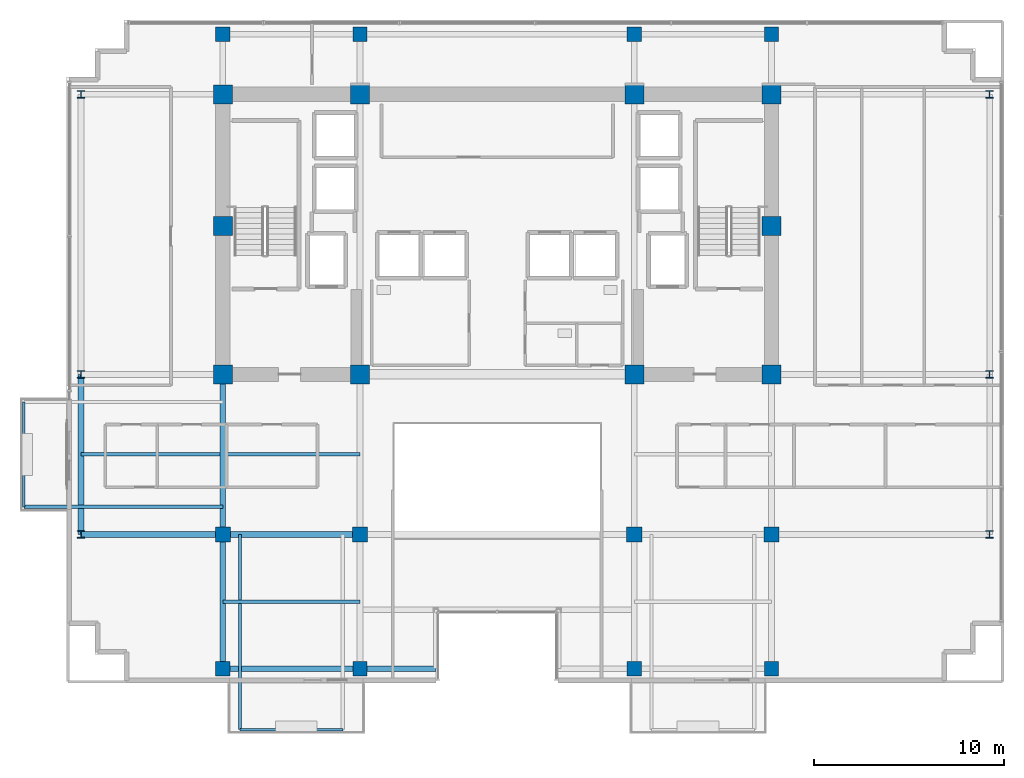
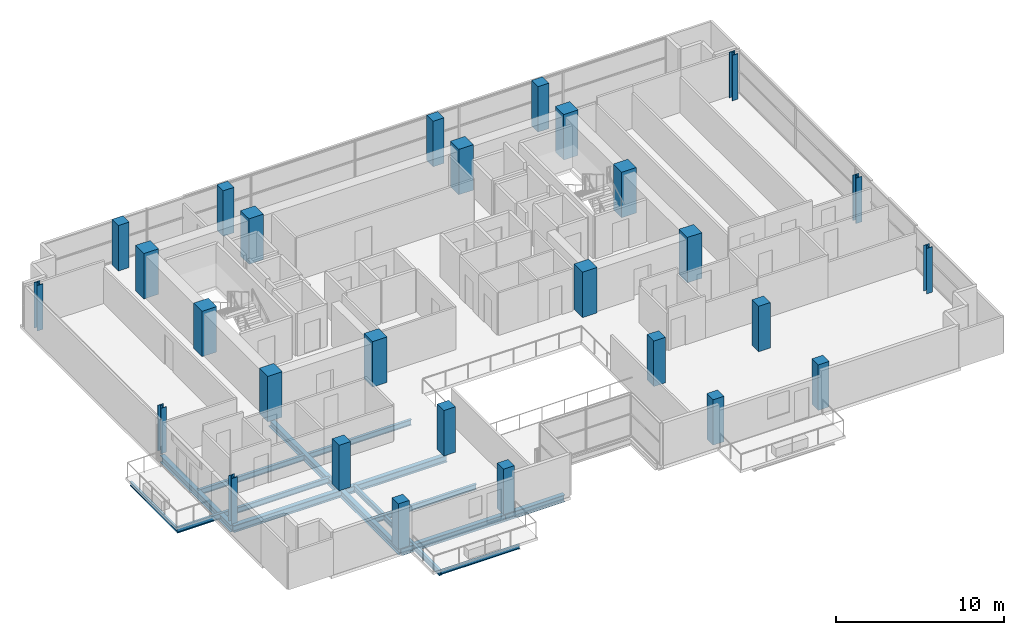
# One storey, part 1 of 21: 28 columns, 14 beams.
"""IFC4 building model written with IfcOpenShell, lengths in metres."""

from ifc_helpers import new_model, si_unit, direction, frame, origin, origin_2d, place, context, subcontext, project, spatial, rectangle, i_section, extrude, material, material_profile, profile_set, type_object, element, save


model = new_model("IFC4")

# Units and contexts
model_context = context("Model", 3, precision=1e-05, world=origin(), true_north=direction((0.0, 1.0)))
body_context = subcontext(model_context, "Body", "Model", "MODEL_VIEW")
ifc_project = project(units=[si_unit("LENGTHUNIT", "METRE"), si_unit("AREAUNIT", "SQUARE_METRE"), si_unit("VOLUMEUNIT", "CUBIC_METRE"), si_unit("PLANEANGLEUNIT", "RADIAN"), si_unit("MASSUNIT", "GRAM", prefix="KILO")], contexts=[model_context])

# Site, building, storey
site_placement = place(None, origin())
site = spatial("IfcSite", under=ifc_project, at=site_placement, CompositionType="ELEMENT")
building_placement = place(site_placement, origin())
building = spatial("IfcBuilding", under=site, at=building_placement, Name="Zarnakvel Exchange Tower", CompositionType="ELEMENT")
storey_placement = place(building_placement, frame((0.0, 0.0, 185.800048828125)))
storey = spatial("IfcBuildingStorey", under=building, at=storey_placement, Name="L52", CompositionType="ELEMENT", Elevation=185.800048828125)

# Columns
ifc_material_1 = material(Name="Concrete C60/75", Category="concrete")
ifc_material_profile_1 = material_profile(ifc_material_1, rectangle(XDim=1.0, YDim=1.0, at=origin_2d()))
ifc_profile_set_1 = profile_set([ifc_material_profile_1], Name="Concrete C60/75")
column_type_1 = type_object("IfcColumnType", Name="CC-02", PredefinedType="COLUMN", material=ifc_profile_set_1)
for number, where, z_axis, x_axis, name in (
    (1, (-14.39990234375, -1.199951171875, 0.0), (0.0, 0.0, 1.0), (1.0, 0.0, 0.0), "L52 Column C-4D (CC-02)"),
    (2, (-7.199951171875, -1.199951171875, 0.0), (0.0, 0.0, 1.0), (1.0, 0.0, 0.0), "L52 Column C-5D (CC-02)"),
    (3, (7.199951171875, -1.199951171875, 0.0), (0.0, 0.0, 1.0), (1.0, 0.0, 0.0), "L52 Column C-8D (CC-02)"),
    (4, (14.39990234375, -1.199951171875, 0.0), (0.0, 0.0, 1.0), (1.0, 0.0, 0.0), "L52 Column C-9D (CC-02)"),
    (5, (-14.39990234375, 6.60009765625, 0.0), (0.0, 0.0, 1.0), (1.0, 0.0, 0.0), "L52 Column C-4E (CC-02)"),
    (6, (14.39990234375, 6.60009765625, 0.0), (0.0, 0.0, 1.0), (1.0, 0.0, 0.0), "L52 Column C-9E (CC-02)"),
    (7, (-14.39990234375, 13.5, 0.0), (0.0, 0.0, 1.0), (1.0, 0.0, 0.0), "L52 Column C-4F (CC-02)"),
    (8, (-7.199951171875, 13.5, 0.0), (0.0, 0.0, 1.0), (1.0, 0.0, 0.0), "L52 Column C-5F (CC-02)"),
    (9, (7.199951171875, 13.5, 0.0), (0.0, 0.0, 1.0), (1.0, 0.0, 0.0), "L52 Column C-8F (CC-02)"),
    (10, (14.39990234375, 13.5, 0.0), (0.0, 0.0, 1.0), (1.0, 0.0, 0.0), "L52 Column C-9F (CC-02)"),
):
    element("IfcColumn", number, at=place(storey_placement, frame(where, z_axis=z_axis, x_axis=x_axis)), inside=storey, type_object=column_type_1, Name=name, PredefinedType="COLUMN", context=body_context, shape_type="SweptSolid", body=[
        extrude(rectangle(XDim=1.0, YDim=1.0, at=origin_2d()), origin(), (0.0, 0.0, 1.0), 3.300048828125),
    ])
ifc_material_2 = material(Name="Steel S355", Category="steel")
ifc_material_profile_2 = material_profile(ifc_material_2, i_section(OverallWidth=0.39892578125, OverallDepth=0.3935546875, WebThickness=0.022705078125, FlangeThickness=0.03662109375, FilletRadius=0.01513671875, at=origin_2d()))
ifc_profile_set_2 = profile_set([ifc_material_profile_2], Name="Steel S355")
column_type_2 = type_object("IfcColumnType", Name="SC-04", PredefinedType="COLUMN", material=ifc_profile_set_2)
for number, where, z_axis, x_axis, name in (
    (11, (-21.85009765625, -9.60009765625, 0.0), (0.0, 0.0, 1.0), (1.0, 0.0, 0.0), "L52 Column TW-C (SC-04)"),
    (12, (25.85009765625, -9.60009765625, 0.0), (0.0, 0.0, 1.0), (1.0, 0.0, 0.0), "L52 Column TE-C (SC-04)"),
    (13, (-21.85009765625, -1.199951171875, 0.0), (0.0, 0.0, 1.0), (1.0, 0.0, 0.0), "L52 Column TW-D (SC-04)"),
    (14, (25.85009765625, -1.199951171875, 0.0), (0.0, 0.0, 1.0), (1.0, 0.0, 0.0), "L52 Column TE-D (SC-04)"),
    (15, (-21.85009765625, 13.5, 0.0), (0.0, 0.0, 1.0), (1.0, 0.0, 0.0), "L52 Column TW-F (SC-04)"),
    (16, (25.85009765625, 13.5, 0.0), (0.0, 0.0, 1.0), (1.0, 0.0, 0.0), "L52 Column TE-F (SC-04)"),
):
    element("IfcColumn", number, at=place(storey_placement, frame(where, z_axis=z_axis, x_axis=x_axis)), inside=storey, type_object=column_type_2, Name=name, PredefinedType="COLUMN", context=body_context, shape_type="SweptSolid", body=[
        extrude(i_section(OverallWidth=0.39892578125, OverallDepth=0.3935546875, WebThickness=0.022705078125, FlangeThickness=0.03662109375, FilletRadius=0.01513671875, at=origin_2d()), origin(), (0.0, 0.0, 1.0), 3.300048828125),
    ])
ifc_material_profile_3 = material_profile(ifc_material_1, rectangle(XDim=0.800048828125, YDim=0.800048828125, at=origin_2d()))
ifc_profile_set_3 = profile_set([ifc_material_profile_3], Name="Concrete C60/75")
column_type_3 = type_object("IfcColumnType", Name="TC-03", PredefinedType="COLUMN", material=ifc_profile_set_3)
for number, where, z_axis, x_axis, name in (
    (17, (-14.39990234375, -9.60009765625, 0.0), (0.0, 0.0, 1.0), (1.0, 0.0, 0.0), "L52 Column T-4C (TC-03)"),
    (18, (-7.199951171875, -9.60009765625, 0.0), (0.0, 0.0, 1.0), (1.0, 0.0, 0.0), "L52 Column T-5C (TC-03)"),
    (19, (7.199951171875, -9.60009765625, 0.0), (0.0, 0.0, 1.0), (1.0, 0.0, 0.0), "L52 Column T-8C (TC-03)"),
    (20, (14.39990234375, -9.60009765625, 0.0), (0.0, 0.0, 1.0), (1.0, 0.0, 0.0), "L52 Column T-9C (TC-03)"),
):
    element("IfcColumn", number, at=place(storey_placement, frame(where, z_axis=z_axis, x_axis=x_axis)), inside=storey, type_object=column_type_3, Name=name, PredefinedType="COLUMN", context=body_context, shape_type="SweptSolid", body=[
        extrude(rectangle(XDim=0.800048828125, YDim=0.800048828125, at=origin_2d()), origin(), (0.0, 0.0, 1.0), 3.300048828125),
    ])
ifc_material_3 = material(Name="Concrete C50/60", Category="concrete")
ifc_material_profile_4 = material_profile(ifc_material_3, rectangle(XDim=0.75, YDim=0.75, at=origin_2d()))
ifc_profile_set_4 = profile_set([ifc_material_profile_4], Name="Concrete C50/60")
column_type_4 = type_object("IfcColumnType", Name="TC-04", PredefinedType="COLUMN", material=ifc_profile_set_4)
for number, where, z_axis, x_axis, name in (
    (21, (-14.39990234375, -16.64990234375, 0.0), (0.0, 0.0, 1.0), (1.0, 0.0, 0.0), "L52 Column TS-4 (TC-04)"),
    (22, (-14.39990234375, 16.64990234375, 0.0), (0.0, 0.0, 1.0), (1.0, 0.0, 0.0), "L52 Column TN-4 (TC-04)"),
    (23, (-7.199951171875, -16.64990234375, 0.0), (0.0, 0.0, 1.0), (1.0, 0.0, 0.0), "L52 Column TS-5 (TC-04)"),
    (24, (-7.199951171875, 16.64990234375, 0.0), (0.0, 0.0, 1.0), (1.0, 0.0, 0.0), "L52 Column TN-5 (TC-04)"),
    (25, (7.199951171875, -16.64990234375, 0.0), (0.0, 0.0, 1.0), (1.0, 0.0, 0.0), "L52 Column TS-8 (TC-04)"),
    (26, (7.199951171875, 16.64990234375, 0.0), (0.0, 0.0, 1.0), (1.0, 0.0, 0.0), "L52 Column TN-8 (TC-04)"),
    (27, (14.39990234375, -16.64990234375, 0.0), (0.0, 0.0, 1.0), (1.0, 0.0, 0.0), "L52 Column TS-9 (TC-04)"),
    (28, (14.39990234375, 16.64990234375, 0.0), (0.0, 0.0, 1.0), (1.0, 0.0, 0.0), "L52 Column TN-9 (TC-04)"),
):
    element("IfcColumn", number, at=place(storey_placement, frame(where, z_axis=z_axis, x_axis=x_axis)), inside=storey, type_object=column_type_4, Name=name, PredefinedType="COLUMN", context=body_context, shape_type="SweptSolid", body=[
        extrude(rectangle(XDim=0.75, YDim=0.75, at=origin_2d()), origin(), (0.0, 0.0, 1.0), 3.300048828125),
    ])

# Beams
ifc_material_profile_5 = material_profile(ifc_material_2, i_section(OverallWidth=0.179931640625, OverallDepth=0.39990234375, WebThickness=0.008544921875, FlangeThickness=0.013427734375, FilletRadius=0.02099609375, at=origin_2d()))
ifc_profile_set_5 = profile_set([ifc_material_profile_5], Name="Steel S355")
beam_type_1 = type_object("IfcBeamType", Name="B-06", PredefinedType="JOIST", material=ifc_profile_set_5)
beam_1_placement = place(storey_placement, frame((-14.39990234375, -13.125, -0.425048828125), z_axis=(1.0, 0.0, 0.0), x_axis=(0.0, 1.0, 0.0)))
element("IfcBeam", 29, at=beam_1_placement, inside=storey, type_object=beam_type_1, Name="L52 Composite Floor Secondary Joist", PredefinedType="JOIST", context=body_context, shape_type="SweptSolid", body=[
    extrude(i_section(OverallWidth=0.179931640625, OverallDepth=0.39990234375, WebThickness=0.008544921875, FlangeThickness=0.013427734375, FilletRadius=0.02099609375, at=origin_2d()), origin(), (0.0, 0.0, 1.0), 7.199951171875),
])
beam_2_placement = place(storey_placement, frame((-21.85009765625, -5.39990234375, -0.425048828125), z_axis=(1.0, 0.0, 0.0), x_axis=(0.0, 1.0, 0.0)))
element("IfcBeam", 30, at=beam_2_placement, inside=storey, type_object=beam_type_1, Name="L52 Composite Floor Secondary Joist", PredefinedType="JOIST", context=body_context, shape_type="SweptSolid", body=[
    extrude(i_section(OverallWidth=0.179931640625, OverallDepth=0.39990234375, WebThickness=0.008544921875, FlangeThickness=0.013427734375, FilletRadius=0.02099609375, at=origin_2d()), origin(), (0.0, 0.0, 1.0), 7.300048828125),
])
beam_3_placement = place(storey_placement, frame((-14.25, -5.39990234375, -0.425048828125), z_axis=(1.0, 0.0, 0.0), x_axis=(0.0, 1.0, 0.0)))
element("IfcBeam", 31, at=beam_3_placement, inside=storey, type_object=beam_type_1, Name="L52 Composite Floor Secondary Joist", PredefinedType="JOIST", context=body_context, shape_type="SweptSolid", body=[
    extrude(i_section(OverallWidth=0.179931640625, OverallDepth=0.39990234375, WebThickness=0.008544921875, FlangeThickness=0.013427734375, FilletRadius=0.02099609375, at=origin_2d()), origin(), (0.0, 0.0, 1.0), 7.050048828125),
])
beam_4_placement = place(storey_placement, frame((-13.5, -9.60009765625, -0.425048828125), z_axis=(0.0, -1.0, 0.0), x_axis=(1.0, 0.0, 0.0)))
element("IfcBeam", 32, at=beam_4_placement, inside=storey, type_object=beam_type_1, Name="L52 Continuous Back-Spanned Balcony Beam W", PredefinedType="JOIST", context=body_context, shape_type="SweptSolid", body=[
    extrude(i_section(OverallWidth=0.179931640625, OverallDepth=0.39990234375, WebThickness=0.008544921875, FlangeThickness=0.013427734375, FilletRadius=0.02099609375, at=origin_2d()), origin(), (0.0, 0.0, 1.0), 10.25),
])
beam_5_placement = place(storey_placement, frame((-14.39990234375, -8.14990234375, -0.425048828125), z_axis=(-1.0, 0.0, 0.0), x_axis=(0.0, -1.0, 0.0)))
element("IfcBeam", 33, at=beam_5_placement, inside=storey, type_object=beam_type_1, Name="L52 Continuous West Loggia Beam S", PredefinedType="JOIST", context=body_context, shape_type="SweptSolid", body=[
    extrude(i_section(OverallWidth=0.179931640625, OverallDepth=0.39990234375, WebThickness=0.008544921875, FlangeThickness=0.013427734375, FilletRadius=0.02099609375, at=origin_2d()), origin(), (0.0, 0.0, 1.0), 10.4501953125),
])
ifc_material_profile_6 = material_profile(ifc_material_2, i_section(OverallWidth=0.14990234375, OverallDepth=0.300048828125, WebThickness=0.007080078125, FlangeThickness=0.0107421875, FilletRadius=0.014892578125, at=origin_2d()))
ifc_profile_set_6 = profile_set([ifc_material_profile_6], Name="Steel S355")
beam_type_2 = type_object("IfcBeamType", Name="B-08", PredefinedType="JOIST", material=ifc_profile_set_6)
beam_6_placement = place(storey_placement, frame((-13.5, -19.85009765625, -0.375), z_axis=(1.0, 0.0, 0.0), x_axis=(0.0, 1.0, 0.0)))
element("IfcBeam", 34, at=beam_6_placement, inside=storey, type_object=beam_type_2, Name="L52 Balcony Edge Beam", PredefinedType="JOIST", context=body_context, shape_type="SweptSolid", body=[
    extrude(i_section(OverallWidth=0.14990234375, OverallDepth=0.300048828125, WebThickness=0.007080078125, FlangeThickness=0.0107421875, FilletRadius=0.014892578125, at=origin_2d()), origin(), (0.0, 0.0, 1.0), 5.39990234375),
])
beam_7_placement = place(storey_placement, frame((-24.85009765625, -8.14990234375, -0.375), z_axis=(0.0, 1.0, 0.0), x_axis=(-1.0, 0.0, 0.0)))
element("IfcBeam", 35, at=beam_7_placement, inside=storey, type_object=beam_type_2, Name="L52 West Loggia Edge Beam", PredefinedType="JOIST", context=body_context, shape_type="SweptSolid", body=[
    extrude(i_section(OverallWidth=0.14990234375, OverallDepth=0.300048828125, WebThickness=0.007080078125, FlangeThickness=0.0107421875, FilletRadius=0.014892578125, at=origin_2d()), origin(), (0.0, 0.0, 1.0), 5.5),
])
ifc_material_profile_7 = material_profile(ifc_material_2, i_section(OverallWidth=0.300048828125, OverallDepth=0.5, WebThickness=0.014404296875, FlangeThickness=0.028076171875, FilletRadius=0.027099609375, at=origin_2d()))
ifc_profile_set_7 = profile_set([ifc_material_profile_7], Name="Steel S355")
beam_type_3 = type_object("IfcBeamType", Name="G-06", PredefinedType="BEAM", material=ifc_profile_set_7)
beam_8_placement = place(storey_placement, frame((-21.85009765625, -9.60009765625, -0.47509765625), z_axis=(1.0, 0.0, 0.0), x_axis=(0.0, 1.0, 0.0)))
element("IfcBeam", 36, at=beam_8_placement, inside=storey, type_object=beam_type_3, Name="L52 Tower E-W Frame Beam", PredefinedType="BEAM", context=body_context, shape_type="SweptSolid", body=[
    extrude(i_section(OverallWidth=0.300048828125, OverallDepth=0.5, WebThickness=0.014404296875, FlangeThickness=0.028076171875, FilletRadius=0.027099609375, at=origin_2d()), origin(), (0.0, 0.0, 1.0), 7.4501953125),
])
beam_9_placement = place(storey_placement, frame((-14.39990234375, -9.60009765625, -0.47509765625), z_axis=(1.0, 0.0, 0.0), x_axis=(0.0, 1.0, 0.0)))
element("IfcBeam", 37, at=beam_9_placement, inside=storey, type_object=beam_type_3, Name="L52 Tower E-W Frame Beam", PredefinedType="BEAM", context=body_context, shape_type="SweptSolid", body=[
    extrude(i_section(OverallWidth=0.300048828125, OverallDepth=0.5, WebThickness=0.014404296875, FlangeThickness=0.028076171875, FilletRadius=0.027099609375, at=origin_2d()), origin(), (0.0, 0.0, 1.0), 7.199951171875),
])
beam_10_placement = place(storey_placement, frame((-14.39990234375, -16.64990234375, -0.47509765625), z_axis=(0.0, 1.0, 0.0), x_axis=(-1.0, 0.0, 0.0)))
element("IfcBeam", 38, at=beam_10_placement, inside=storey, type_object=beam_type_3, Name="L52 Tower N-S Frame Beam", PredefinedType="BEAM", context=body_context, shape_type="SweptSolid", body=[
    extrude(i_section(OverallWidth=0.300048828125, OverallDepth=0.5, WebThickness=0.014404296875, FlangeThickness=0.028076171875, FilletRadius=0.027099609375, at=origin_2d()), origin(), (0.0, 0.0, 1.0), 7.0498046875),
])
beam_11_placement = place(storey_placement, frame((-14.39990234375, -9.60009765625, -0.47509765625), z_axis=(0.0, 1.0, 0.0), x_axis=(-1.0, 0.0, 0.0)))
element("IfcBeam", 39, at=beam_11_placement, inside=storey, type_object=beam_type_3, Name="L52 Tower N-S Frame Beam", PredefinedType="BEAM", context=body_context, shape_type="SweptSolid", body=[
    extrude(i_section(OverallWidth=0.300048828125, OverallDepth=0.5, WebThickness=0.014404296875, FlangeThickness=0.028076171875, FilletRadius=0.027099609375, at=origin_2d()), origin(), (0.0, 0.0, 1.0), 8.400146484375),
])
ifc_material_profile_8 = material_profile(ifc_material_2, i_section(OverallWidth=0.300048828125, OverallDepth=0.5, WebThickness=0.014404296875, FlangeThickness=0.028076171875, FilletRadius=0.027099609375, at=origin_2d()))
ifc_profile_set_8 = profile_set([ifc_material_profile_8], Name="Steel S355")
beam_type_4 = type_object("IfcBeamType", Name="SP-02", PredefinedType="SPANDREL", material=ifc_profile_set_8)
beam_12_placement = place(storey_placement, frame((-14.39990234375, -16.64990234375, -0.47509765625), z_axis=(1.0, 0.0, 0.0), x_axis=(0.0, 1.0, 0.0)))
element("IfcBeam", 40, at=beam_12_placement, inside=storey, type_object=beam_type_4, Name="L52 Tower E-W Frame Beam", PredefinedType="SPANDREL", context=body_context, shape_type="SweptSolid", body=[
    extrude(i_section(OverallWidth=0.300048828125, OverallDepth=0.5, WebThickness=0.014404296875, FlangeThickness=0.028076171875, FilletRadius=0.027099609375, at=origin_2d()), origin(), (0.0, 0.0, 1.0), 7.199951171875),
])
beam_13_placement = place(storey_placement, frame((-7.199951171875, -16.64990234375, -0.47509765625), z_axis=(1.0, 0.0, 0.0), x_axis=(0.0, 1.0, 0.0)))
element("IfcBeam", 41, at=beam_13_placement, inside=storey, type_object=beam_type_4, Name="L52 South Slot West Jamb Spandrel", PredefinedType="SPANDREL", context=body_context, shape_type="SweptSolid", body=[
    extrude(i_section(OverallWidth=0.300048828125, OverallDepth=0.5, WebThickness=0.014404296875, FlangeThickness=0.028076171875, FilletRadius=0.027099609375, at=origin_2d()), origin(), (0.0, 0.0, 1.0), 4.0),
])
beam_14_placement = place(storey_placement, frame((-21.85009765625, -9.60009765625, -0.47509765625), z_axis=(0.0, 1.0, 0.0), x_axis=(-1.0, 0.0, 0.0)))
element("IfcBeam", 42, at=beam_14_placement, inside=storey, type_object=beam_type_4, Name="L52 Tower N-S Frame Beam", PredefinedType="SPANDREL", context=body_context, shape_type="SweptSolid", body=[
    extrude(i_section(OverallWidth=0.300048828125, OverallDepth=0.5, WebThickness=0.014404296875, FlangeThickness=0.028076171875, FilletRadius=0.027099609375, at=origin_2d()), origin(), (0.0, 0.0, 1.0), 8.400146484375),
])

save(model, "model.ifc")
